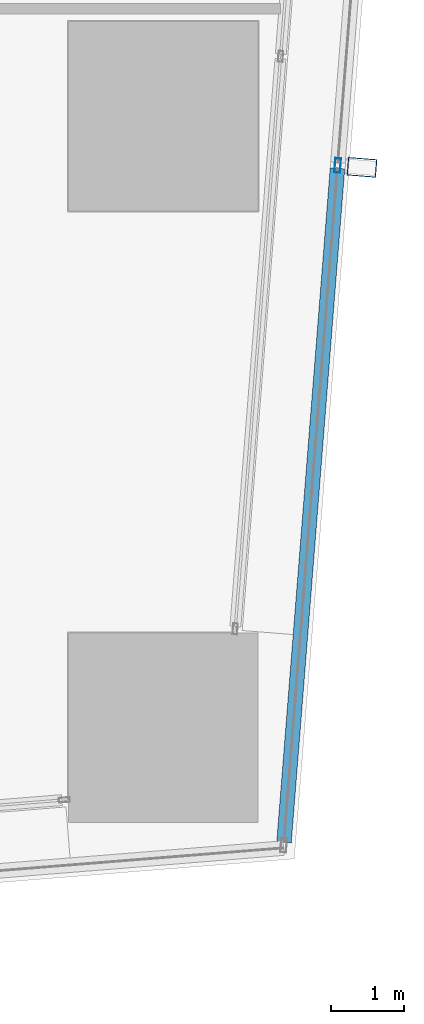
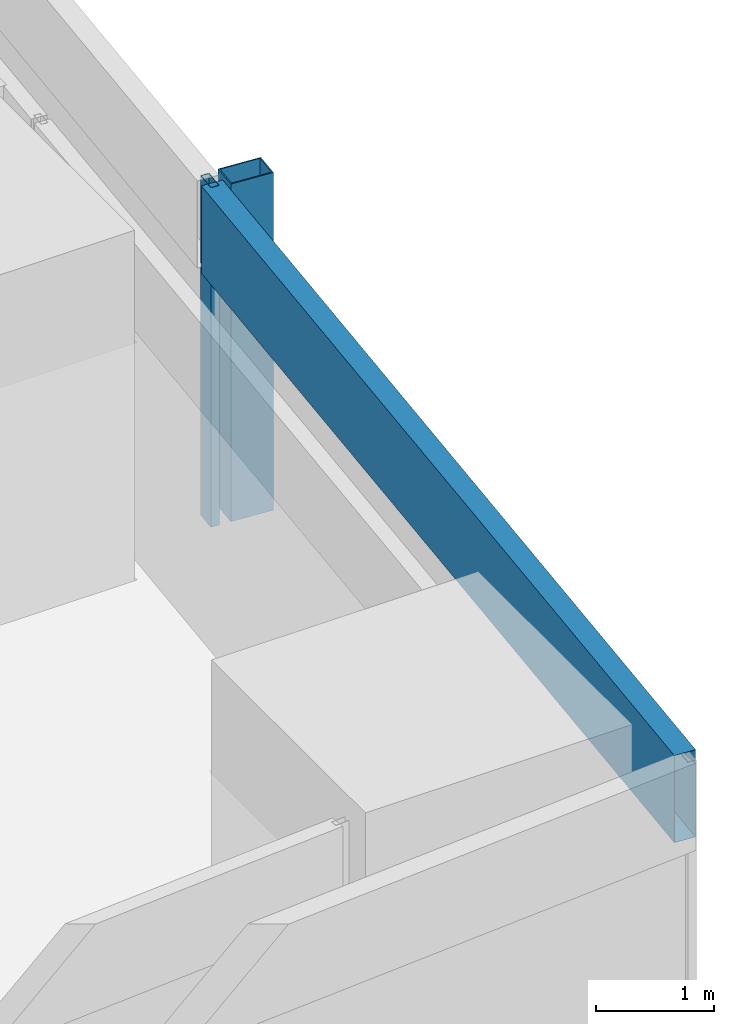
# One storey, part 25 of 46: 3 members, 1 element without a shape of its own.
"""IFC4 building model written with IfcOpenShell, lengths in metres."""

import ifcopenshell
import ifcopenshell.guid

model = None  # the IFC model being written
_history = None  # IfcOwnerHistory: only IFC2X3 demands one
_inside = {}  # id of a spatial element -> (the spatial element, [elements in it])
_under = {}  # id of a project, library or spatial element -> (it, [spatial elements below it])
_declared = {}  # id of a project -> (the project, [libraries it declares])
_typed = {}  # id of a type object -> (the type object, [elements of that type])
_made_of = {}  # id of a material, layer set ... -> (it, [elements and type objects made of it])


def new_model(schema):
    """Start an empty IFC model of exactly this schema.

    Asked for "IFC4X3", IfcOpenShell would pick the latest addendum, in which some entities
    have other attributes; the version numbers below select the first issue.
    IFC2X3 requires an IfcOwnerHistory on every rooted entity: one is made here for all.
    """
    global model, _history
    if schema == "IFC4X3":
        model = ifcopenshell.file(schema_version=(4, 3, 0, 0))
    else:
        model = ifcopenshell.file(schema=schema)
    _inside.clear()
    _under.clear()
    _declared.clear()
    _typed.clear()
    _made_of.clear()
    _history = None
    if model.schema == "IFC2X3":
        org = make("IfcOrganization", Name="unknown")
        user = make(
            "IfcPersonAndOrganization",
            ThePerson=make("IfcPerson", FamilyName="unknown"),
            TheOrganization=org,
        )
        app = make(
            "IfcApplication",
            ApplicationDeveloper=org,
            Version="unknown",
            ApplicationFullName="unknown",
            ApplicationIdentifier="unknown",
        )
        _history = make(
            "IfcOwnerHistory",
            OwningUser=user,
            OwningApplication=app,
            ChangeAction="ADDED",
            CreationDate=0,
        )
    return model


def make(cls, **values):
    """One entity of the class cls with the attributes given. An attribute that is None is left unset."""
    return model.create_entity(
        cls, **{name: value for name, value in values.items() if value is not None}
    )


def rooted(cls, **values):
    """An entity with a GlobalId (a new one), such as an element, a storey or a relation."""
    return make(cls, GlobalId=ifcopenshell.guid.new(), OwnerHistory=_history, **values)


def si_unit(unit_type, name, prefix=None):
    """IfcSIUnit, for example si_unit("LENGTHUNIT", "METRE", prefix="MILLI")."""
    return make("IfcSIUnit", UnitType=unit_type, Prefix=prefix, Name=name)


def assignment(units):
    """IfcUnitAssignment: the units of a project."""
    return None if units is None else make("IfcUnitAssignment", Units=units)


def point(xyz):
    """IfcCartesianPoint."""
    return None if xyz is None else make("IfcCartesianPoint", Coordinates=xyz)


def direction(xyz):
    """IfcDirection."""
    return None if xyz is None else make("IfcDirection", DirectionRatios=xyz)


def frame(location, z_axis=None, x_axis=None):
    """IfcAxis2Placement3D, a coordinate frame: its origin and axes. An axis left out is left unset."""
    return make(
        "IfcAxis2Placement3D",
        Location=point(location),
        Axis=direction(z_axis),
        RefDirection=direction(x_axis),
    )


def frame_2d(location, x_axis=None):
    """IfcAxis2Placement2D, a coordinate frame in the plane: its origin and x axis."""
    return make(
        "IfcAxis2Placement2D", Location=point(location), RefDirection=direction(x_axis)
    )


def origin():
    """The frame at (0, 0, 0) with its axes left unset."""
    return frame((0.0, 0.0, 0.0))


def origin_2d():
    """The frame at (0, 0) in the plane with its x axis left unset."""
    return frame_2d((0.0, 0.0))


def place(relative_to, where):
    """IfcLocalPlacement: puts the frame where relative to a parent placement (None: the world)."""
    return make(
        "IfcLocalPlacement", PlacementRelTo=relative_to, RelativePlacement=where
    )


def context(
    kind, dimensions, precision=None, world=None, true_north=None, identifier=None
):
    """IfcGeometricRepresentationContext, for example the 3D "Model" context."""
    return make(
        "IfcGeometricRepresentationContext",
        ContextIdentifier=identifier,
        ContextType=kind,
        CoordinateSpaceDimension=dimensions,
        Precision=precision,
        WorldCoordinateSystem=world,
        TrueNorth=true_north,
    )


def subcontext(parent, identifier, kind, view, scale=None):
    """IfcGeometricRepresentationSubContext, for example "Body" below "Model"."""
    return make(
        "IfcGeometricRepresentationSubContext",
        ContextIdentifier=identifier,
        ContextType=kind,
        ParentContext=parent,
        TargetScale=scale,
        TargetView=view,
    )


def project(units=None, contexts=None):
    """IfcProject with its units and contexts."""
    return rooted(
        "IfcProject",
        Name="project",
        RepresentationContexts=contexts,
        UnitsInContext=assignment(units),
    )


def spatial(cls, under=None, at=None, **own):
    """A site, building, storey or space (cls), placed at a placement, below another one or the project."""
    s = rooted(cls, ObjectPlacement=at, **own)
    if under is not None:
        _under.setdefault(under.id(), (under, []))[1].append(s)
    return s


def profile(cls, at=None, kind="AREA", **sizes):
    """A parametric profile (cls). Its sizes go by their IFC names, for example OverallWidth=200.0."""
    return make(cls, ProfileType=kind, Position=at, **sizes)


def hollow_rectangle(**sizes):
    """IfcRectangleHollowProfileDef."""
    return profile("IfcRectangleHollowProfileDef", **sizes)


def extrude(swept, where, along, depth):
    """IfcExtrudedAreaSolid: the profile swept, set in the frame where, extruded along a direction by depth."""
    return make(
        "IfcExtrudedAreaSolid",
        SweptArea=swept,
        Position=where,
        ExtrudedDirection=direction(along),
        Depth=depth,
    )


def shape(context_of_items, identifier, shape_type, items):
    """IfcShapeRepresentation: the items that make up one representation, for example the "Body"."""
    return make(
        "IfcShapeRepresentation",
        ContextOfItems=context_of_items,
        RepresentationIdentifier=identifier,
        RepresentationType=shape_type,
        Items=items,
    )


def material(Name=None, Category=None):
    """IfcMaterial."""
    return make("IfcMaterial", Name=Name, Category=Category)


def material_profile(
    of_material, cross_section, Name=None, Category=None, Priority=None
):
    """IfcMaterialProfile: a cross section and its material."""
    return make(
        "IfcMaterialProfile",
        Name=Name,
        Material=of_material,
        Profile=cross_section,
        Priority=Priority,
        Category=Category,
    )


def profile_set(profiles, Name=None, composite=None):
    """IfcMaterialProfileSet."""
    return make(
        "IfcMaterialProfileSet",
        Name=Name,
        MaterialProfiles=profiles,
        CompositeProfile=composite,
    )


def made_of(thing, what):
    """Note that an element or type object is made of a material, layer set ...; save() writes the relation."""
    if what is not None:
        _made_of.setdefault(what.id(), (what, []))[1].append(thing)
    return thing


def type_object(cls, material=None, **own):
    """A type object (cls), such as IfcWallType, which elements share."""
    return made_of(rooted(cls, **own), material)


def element(
    cls,
    number,
    at=None,
    inside=None,
    cuts=None,
    type_object=None,
    material=None,
    context=None,
    identifier="Body",
    shape_type=None,
    held_by="IfcProductDefinitionShape",
    body=None,
    shapes=None,
    **own,
):
    """One element of the class cls, such as IfcWall. Its Tag is "e" and its number.

    at: its placement. inside: the storey or other place that contains it. cuts: it is an
    opening in that element (IfcRelVoidsElement). A single representation is given by context,
    identifier, shape_type and body (its items); several are given by shapes. held_by: the class
    of the entity that holds the representations. save() writes the other relations.
    """
    e = rooted(cls, Tag="e%d" % number, ObjectPlacement=at, **own)
    if body is not None:
        shapes = [shape(context, identifier, shape_type, body)]
    if shapes is not None:
        e.Representation = make(held_by, Representations=shapes)
    if inside is not None:
        _inside.setdefault(inside.id(), (inside, []))[1].append(e)
    if cuts is not None:
        rooted(
            "IfcRelVoidsElement", RelatingBuildingElement=cuts, RelatedOpeningElement=e
        )
    if type_object is not None:
        _typed.setdefault(type_object.id(), (type_object, []))[1].append(e)
    return made_of(e, material)


def aggregate(whole, parts):
    """IfcRelAggregates: a whole, such as a stair, and the parts it consists of."""
    return rooted("IfcRelAggregates", RelatingObject=whole, RelatedObjects=parts)


def save(model, path):
    """Write the relations noted so far, then the file.

    IfcRelAggregates (storeys below a building ...), IfcRelContainedInSpatialStructure (elements
    in a storey), IfcRelDefinesByType, IfcRelAssociatesMaterial and IfcRelDeclares: one each for
    every whole, place, type object, material and project.
    """
    for whole, parts in _under.values():
        aggregate(whole, parts)
    for where, things in _inside.values():
        rooted(
            "IfcRelContainedInSpatialStructure",
            RelatedElements=things,
            RelatingStructure=where,
        )
    for kind, things in _typed.values():
        rooted("IfcRelDefinesByType", RelatedObjects=things, RelatingType=kind)
    for what, things in _made_of.values():
        rooted("IfcRelAssociatesMaterial", RelatedObjects=things, RelatingMaterial=what)
    for by, libraries in _declared.values():
        rooted("IfcRelDeclares", RelatingContext=by, RelatedDefinitions=libraries)
    model.write(path)


model = new_model("IFC4")

# Units and contexts
model_context = context("Model", 3, precision=1e-05, world=origin(), true_north=direction((0.0, 1.0)))
body_context = subcontext(model_context, "Body", "Model", "MODEL_VIEW")
ifc_project = project(units=[si_unit("LENGTHUNIT", "METRE"), si_unit("AREAUNIT", "SQUARE_METRE"), si_unit("VOLUMEUNIT", "CUBIC_METRE"), si_unit("PLANEANGLEUNIT", "RADIAN"), si_unit("MASSUNIT", "GRAM", prefix="KILO")], contexts=[model_context])

# Site, building, storey
site_placement = place(None, origin())
site = spatial("IfcSite", under=ifc_project, at=site_placement, CompositionType="ELEMENT")
building_placement = place(site_placement, origin())
building = spatial("IfcBuilding", under=site, at=building_placement, Name="Rekha Terrace Tower", CompositionType="ELEMENT")
storey_placement = place(building_placement, frame((0.0, 0.0, 29.14990234375)))
storey = spatial("IfcBuildingStorey", under=building, at=storey_placement, Name="L06", CompositionType="ELEMENT", Elevation=29.14990234375)

# Curtain wall, members
ifc_material_1 = material(Name="Aluminium framing", Category="aluminium")
curtain_wall_type = type_object("IfcCurtainWallType", Name="CW2 double skin outer glazing", PredefinedType="USERDEFINED", material=ifc_material_1)
curtain_wall_placement = place(storey_placement, origin())
curtain_wall = element("IfcCurtainWall", 1, at=curtain_wall_placement, inside=storey, type_object=curtain_wall_type, Name="CW2 double skin outer glazing", ObjectType="DOUBLE SKIN OUTER GLAZING", PredefinedType="USERDEFINED")
ifc_material_2 = material(Name="Steel S355 with fluorocarbon finish", Category="steel")
ifc_material_profile_1 = material_profile(ifc_material_2, hollow_rectangle(XDim=0.25, YDim=0.39990234375, WallThickness=0.012451171875, at=origin_2d()), Name="RHS400x250x12.5")
ifc_profile_set_1 = profile_set([ifc_material_profile_1], Name="Steel S355 with fluorocarbon finish")
member_type_1 = type_object("IfcMemberType", Name="BL1 facade blade RHS 400 x 250", PredefinedType="USERDEFINED", material=ifc_profile_set_1)
member_1_placement = place(storey_placement, frame((69.929443359375, 16.099365234375, 0.02001953125), z_axis=(0.0, 0.0, 1.0), x_axis=(0.079116779322, 0.996865354614, 0.0)))
member_1 = element("IfcMember", 2, at=member_1_placement, type_object=member_type_1, Name="Facade blade", ObjectType="FACADE BLADE", PredefinedType="USERDEFINED", context=body_context, shape_type="SweptSolid", body=[
    extrude(hollow_rectangle(XDim=0.25, YDim=0.39990234375, WallThickness=0.012451171875, at=origin_2d()), origin(), (0.0, 0.0, 1.0), 3.47998046875),
])
ifc_material_3 = material(Name="Aluminium mullion section", Category="aluminium")
ifc_material_profile_2 = material_profile(ifc_material_3, hollow_rectangle(XDim=0.080078125, YDim=0.199951171875, WallThickness=0.00390625, at=origin_2d()), Name="AL RHS 80x200")
ifc_profile_set_2 = profile_set([ifc_material_profile_2], Name="Aluminium mullion section")
member_type_2 = type_object("IfcMemberType", Name="CW2 mullion RHS 80 x 200", PredefinedType="MULLION", material=ifc_profile_set_2)
member_2_placement = place(storey_placement, frame((69.595458984375, 16.125732421875, 0.0), z_axis=(0.0, 0.0, 1.0), x_axis=(-0.996865392575, 0.079116301017, 0.0)))
member_2 = element("IfcMember", 3, at=member_2_placement, type_object=member_type_2, Name="CW2 mullion 2", PredefinedType="MULLION", context=body_context, shape_type="SweptSolid", body=[
    extrude(hollow_rectangle(XDim=0.080078125, YDim=0.199951171875, WallThickness=0.00390625, at=origin_2d()), origin(), (0.0, 0.0, 1.0), 3.5),
])
ifc_material_4 = material(Name="Insulated aluminium spandrel box", Category="aluminium")
ifc_material_profile_3 = material_profile(ifc_material_4, hollow_rectangle(XDim=0.199951171875, YDim=0.89990234375, WallThickness=0.0029296875, at=origin_2d()), Name="AL SPANDREL BOX 200x900")
ifc_profile_set_3 = profile_set([ifc_material_profile_3], Name="Insulated aluminium spandrel box")
member_type_3 = type_object("IfcMemberType", Name="CW2 spandrel transom 200 x 900", PredefinedType="USERDEFINED", material=ifc_profile_set_3)
member_3_placement = place(storey_placement, frame((68.857666015625, 6.828369140625, 3.050048828125), z_axis=(0.079104689968, 0.996866314019, 0.0), x_axis=(-0.996866314019, 0.079104689968, 0.0)))
member_3 = element("IfcMember", 4, at=member_3_placement, type_object=member_type_3, Name="CW2 spandrel transom 1", ObjectType="TRANSOM", PredefinedType="USERDEFINED", context=body_context, shape_type="SweptSolid", body=[
    extrude(hollow_rectangle(XDim=0.199951171875, YDim=0.89990234375, WallThickness=0.0029296875, at=origin_2d()), origin(), (0.0, 0.0, 1.0), 9.28662109375),
])
aggregate(curtain_wall, [member_2, member_3, member_1])

save(model, "model.ifc")
